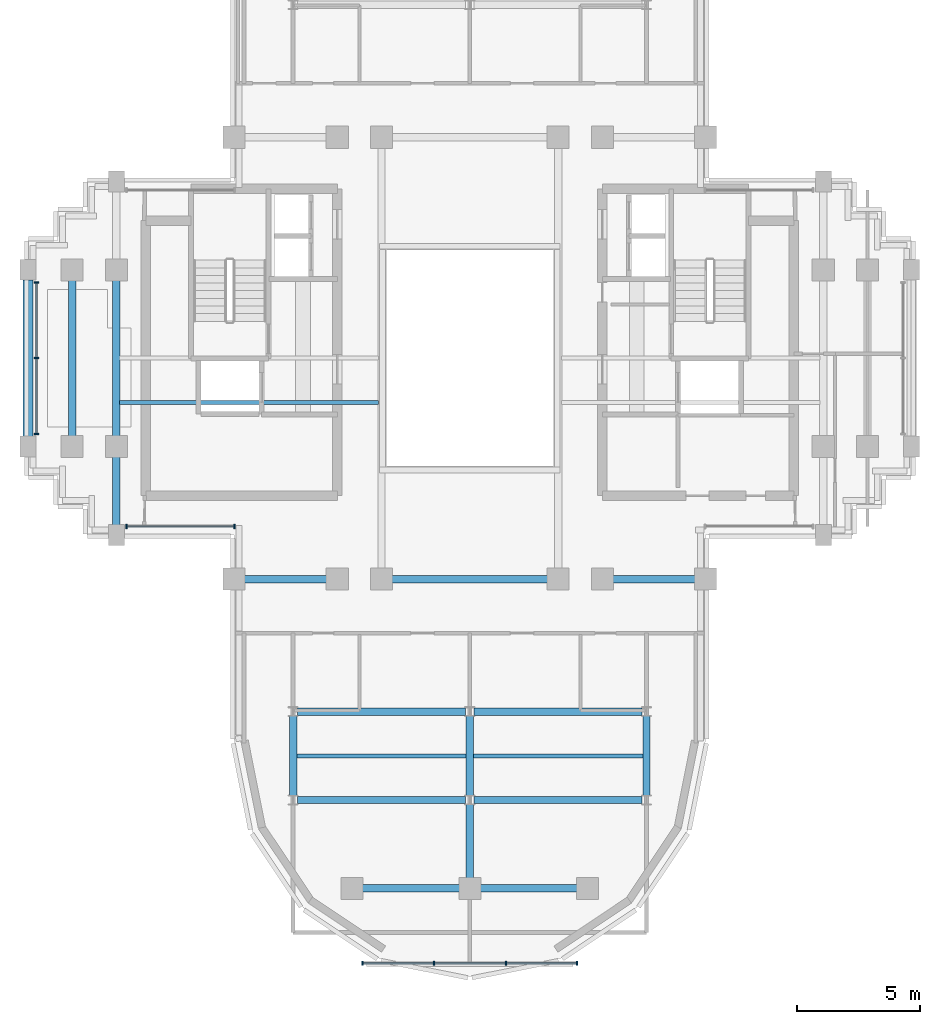
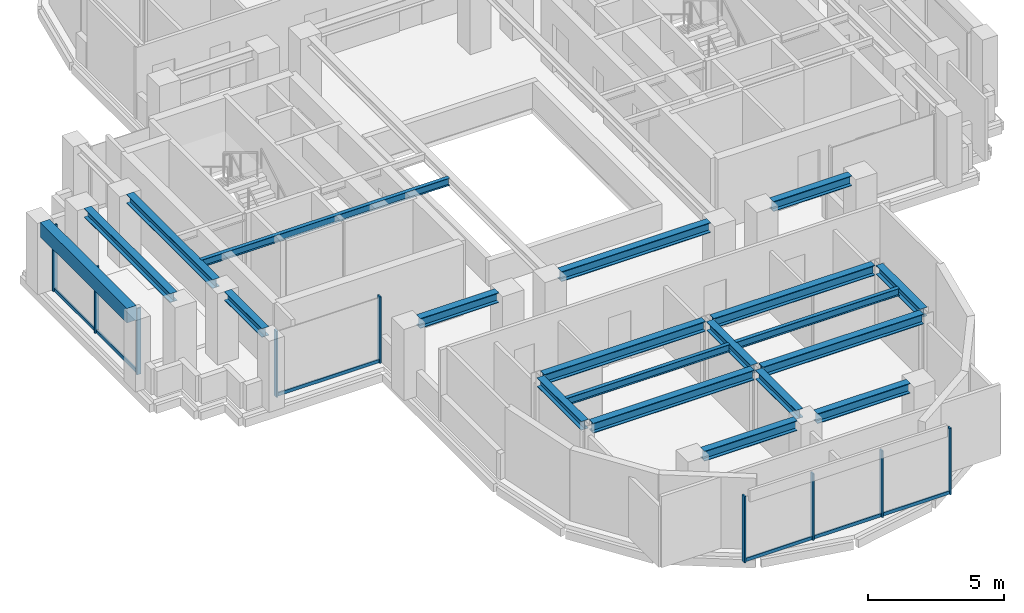
# One storey, part 2 of 11: 20 beams, 15 members, 3 elements without a shape of their own.
"""IFC4 building model written with IfcOpenShell, lengths in metres."""

from ifc_helpers import new_model, si_unit, direction, frame, origin, origin_2d, place, context, subcontext, project, spatial, rectangle, i_section, extrude, source, transform, mapped, material, material_profile, profile_set, type_object, element, aggregate, save


model = new_model("IFC4")

# Units and contexts
model_context = context("Model", 3, precision=1e-05, world=origin(), true_north=direction((0.0, 1.0)))
body_context = subcontext(model_context, "Body", "Model", "MODEL_VIEW")
ifc_project = project(units=[si_unit("LENGTHUNIT", "METRE"), si_unit("AREAUNIT", "SQUARE_METRE"), si_unit("VOLUMEUNIT", "CUBIC_METRE"), si_unit("PLANEANGLEUNIT", "RADIAN"), si_unit("MASSUNIT", "GRAM", prefix="KILO")], contexts=[model_context])

# Site, building, storey
site_placement = place(None, origin())
site = spatial("IfcSite", under=ifc_project, at=site_placement, CompositionType="ELEMENT")
building_placement = place(site_placement, origin())
building = spatial("IfcBuilding", under=site, at=building_placement, Name="Keilestroom Media Tower", CompositionType="ELEMENT")
storey_placement = place(building_placement, frame((0.0, 0.0, 194.39990234375)))
storey = spatial("IfcBuildingStorey", under=building, at=storey_placement, Name="L53", CompositionType="ELEMENT", Elevation=194.39990234375)

# Beams
ifc_material_1 = material(Name="Steel S355", Category="steel")
ifc_material_profile_1 = material_profile(ifc_material_1, i_section(OverallWidth=0.300048828125, OverallDepth=0.449951171875, WebThickness=0.011962890625, FlangeThickness=0.02587890625, at=origin_2d()), Name="HEB 450")
ifc_profile_set_1 = profile_set([ifc_material_profile_1], Name="Steel S355")
beam_type_1 = type_object("IfcBeamType", Name="Primary-Structural-Girder-HEB-450", PredefinedType="BEAM", material=ifc_profile_set_1)
shared_shape_1 = source(origin(), body_context, "Body", "SweptSolid", [
    extrude(i_section(OverallWidth=0.300048828125, OverallDepth=0.449951171875, WebThickness=0.011962890625, FlangeThickness=0.02587890625, at=origin_2d()), origin(), (0.0, 0.0, 1.0), 3.940185546875),
])
for number, where, z_axis, x_axis, name in (
    (1, (-4.3701171875, -21.60009765625, 2.97509765625), (1.0, 0.0, 0.0), (0.0, 1.0, 0.0), "L53 Beam BG-7 BM-L53-EW-001"),
    (2, (0.429931640625, -21.60009765625, 2.97509765625), (1.0, 0.0, 0.0), (0.0, 1.0, 0.0), "L53 Beam BG-7 BM-L53-EW-002"),
):
    element("IfcBeam", number, at=place(storey_placement, frame(where, z_axis=z_axis, x_axis=x_axis)), inside=storey, type_object=beam_type_1, Name=name, PredefinedType="BEAM", context=body_context, shape_type="MappedRepresentation", body=[
        mapped(shared_shape_1, transform((0.0, 0.0, 0.0), x_axis=(1.0, 0.0, 0.0), y_axis=(0.0, 1.0, 0.0), z_axis=(0.0, 0.0, 1.0), scale=1.0)),
    ])
shared_shape_2 = source(origin(), body_context, "Body", "SweptSolid", [
    extrude(i_section(OverallWidth=0.300048828125, OverallDepth=0.449951171875, WebThickness=0.011962890625, FlangeThickness=0.02587890625, at=origin_2d()), origin(), (0.0, 0.0, 1.0), 6.842041015625),
])
for number, where, z_axis, x_axis, name in (
    (3, (-7.02099609375, -18.0, 2.97509765625), (1.0, 0.0, 0.0), (0.0, 1.0, 0.0), "L53 Beam BG-7 BM-L53-EW-003"),
    (4, (0.178955078125, -18.0, 2.97509765625), (1.0, 0.0, 0.0), (0.0, 1.0, 0.0), "L53 Beam BG-7 BM-L53-EW-004"),
    (5, (-7.02099609375, -14.39990234375, 2.97509765625), (1.0, 0.0, 0.0), (0.0, 1.0, 0.0), "L53 Beam BG-7 BM-L53-EW-005"),
    (6, (0.178955078125, -14.39990234375, 2.97509765625), (1.0, 0.0, 0.0), (0.0, 1.0, 0.0), "L53 Beam BG-7 BM-L53-EW-006"),
):
    element("IfcBeam", number, at=place(storey_placement, frame(where, z_axis=z_axis, x_axis=x_axis)), inside=storey, type_object=beam_type_1, Name=name, PredefinedType="BEAM", context=body_context, shape_type="MappedRepresentation", body=[
        mapped(shared_shape_2, transform((0.0, 0.0, 0.0), x_axis=(1.0, 0.0, 0.0), y_axis=(0.0, 1.0, 0.0), z_axis=(0.0, 0.0, 1.0), scale=1.0)),
    ])
shared_shape_3 = source(origin(), body_context, "Body", "SweptSolid", [
    extrude(i_section(OverallWidth=0.300048828125, OverallDepth=0.449951171875, WebThickness=0.011962890625, FlangeThickness=0.02587890625, at=origin_2d()), origin(), (0.0, 0.0, 1.0), 3.33984375),
])
for number, where, z_axis, x_axis, name in (
    (7, (-9.169921875, -9.0, 2.97509765625), (1.0, 0.0, 0.0), (0.0, 1.0, 0.0), "L53 Beam BG-7 BM-L53-EW-007"),
    (8, (5.830078125, -9.0, 2.97509765625), (1.0, 0.0, 0.0), (0.0, 1.0, 0.0), "L53 Beam BG-7 BM-L53-EW-011"),
):
    element("IfcBeam", number, at=place(storey_placement, frame(where, z_axis=z_axis, x_axis=x_axis)), inside=storey, type_object=beam_type_1, Name=name, PredefinedType="BEAM", context=body_context, shape_type="MappedRepresentation", body=[
        mapped(shared_shape_3, transform((0.0, 0.0, 0.0), x_axis=(1.0, 0.0, 0.0), y_axis=(0.0, 1.0, 0.0), z_axis=(0.0, 0.0, 1.0), scale=1.0)),
    ])
shared_shape_4 = source(origin(), body_context, "Body", "SweptSolid", [
    extrude(i_section(OverallWidth=0.300048828125, OverallDepth=0.449951171875, WebThickness=0.011962890625, FlangeThickness=0.02587890625, at=origin_2d()), origin(), (0.0, 0.0, 1.0), 6.33984375),
])
beam_1_placement = place(storey_placement, frame((-3.169921875, -9.0, 2.97509765625), z_axis=(1.0, 0.0, 0.0), x_axis=(0.0, 1.0, 0.0)))
element("IfcBeam", 9, at=beam_1_placement, inside=storey, type_object=beam_type_1, Name="L53 Beam BG-7 BM-L53-EW-009", PredefinedType="BEAM", context=body_context, shape_type="MappedRepresentation", body=[
    mapped(shared_shape_4, transform((0.0, 0.0, 0.0), x_axis=(1.0, 0.0, 0.0), y_axis=(0.0, 1.0, 0.0), z_axis=(0.0, 0.0, 1.0), scale=1.0)),
])
ifc_material_2 = material(Name="Precast concrete C40/50", Category="concrete")
ifc_material_profile_2 = material_profile(ifc_material_2, rectangle(XDim=0.39990234375, YDim=0.64990234375, at=origin_2d()), Name="PC 400x650")
ifc_profile_set_2 = profile_set([ifc_material_profile_2], Name="Precast concrete C40/50")
beam_type_2 = type_object("IfcBeamType", Name="Perimeter-Spandrel-Beam-PC-400x650", PredefinedType="SPANDREL", material=ifc_profile_set_2)
shared_shape_5 = source(origin(), body_context, "Body", "SweptSolid", [
    extrude(rectangle(XDim=0.39990234375, YDim=0.64990234375, at=origin_2d()), origin(), (0.0, 0.0, 1.0), 6.39013671875),
])
beam_2_placement = place(storey_placement, frame((-18.0, -3.195068359375, 2.875), z_axis=(0.0, 1.0, 0.0), x_axis=(-1.0, 0.0, 0.0)))
element("IfcBeam", 10, at=beam_2_placement, inside=storey, type_object=beam_type_2, Name="L53 Beam SPB-2 BM-L53-NS-031", PredefinedType="SPANDREL", context=body_context, shape_type="MappedRepresentation", body=[
    mapped(shared_shape_5, transform((0.0, 0.0, 0.0), x_axis=(1.0, 0.0, 0.0), y_axis=(0.0, 1.0, 0.0), z_axis=(0.0, 0.0, 1.0), scale=1.0)),
])
ifc_material_profile_3 = material_profile(ifc_material_1, i_section(OverallWidth=0.300048828125, OverallDepth=0.39990234375, WebThickness=0.011474609375, FlangeThickness=0.02392578125, at=origin_2d()), Name="HEB 400")
ifc_profile_set_3 = profile_set([ifc_material_profile_3], Name="Steel S355")
beam_type_3 = type_object("IfcBeamType", Name="Primary-Structural-Girder-HEB-400", PredefinedType="BEAM", material=ifc_profile_set_3)
shared_shape_6 = source(origin(), body_context, "Body", "SweptSolid", [
    extrude(i_section(OverallWidth=0.300048828125, OverallDepth=0.39990234375, WebThickness=0.011474609375, FlangeThickness=0.02392578125, at=origin_2d()), origin(), (0.0, 0.0, 1.0), 6.33984375),
])
for number, where, z_axis, x_axis, name in (
    (11, (-16.199951171875, -3.169921875, 3.0), (0.0, 1.0, 0.0), (-1.0, 0.0, 0.0), "L53 Beam BG-8 BM-L53-NS-032"),
    (12, (-14.39990234375, -3.169921875, 3.0), (0.0, 1.0, 0.0), (-1.0, 0.0, 0.0), "L53 Beam BG-8 BM-L53-NS-034"),
):
    element("IfcBeam", number, at=place(storey_placement, frame(where, z_axis=z_axis, x_axis=x_axis)), inside=storey, type_object=beam_type_3, Name=name, PredefinedType="BEAM", context=body_context, shape_type="MappedRepresentation", body=[
        mapped(shared_shape_6, transform((0.0, 0.0, 0.0), x_axis=(1.0, 0.0, 0.0), y_axis=(0.0, 1.0, 0.0), z_axis=(0.0, 0.0, 1.0), scale=1.0)),
    ])
shared_shape_7 = source(origin(), body_context, "Body", "SweptSolid", [
    extrude(i_section(OverallWidth=0.300048828125, OverallDepth=0.39990234375, WebThickness=0.011474609375, FlangeThickness=0.02392578125, at=origin_2d()), origin(), (0.0, 0.0, 1.0), 2.764892578125),
])
beam_3_placement = place(storey_placement, frame((-14.39990234375, -6.794921875, 3.0), z_axis=(0.0, 1.0, 0.0), x_axis=(-1.0, 0.0, 0.0)))
element("IfcBeam", 13, at=beam_3_placement, inside=storey, type_object=beam_type_3, Name="L53 Beam BG-8 BM-L53-NS-033", PredefinedType="BEAM", context=body_context, shape_type="MappedRepresentation", body=[
    mapped(shared_shape_7, transform((0.0, 0.0, 0.0), x_axis=(1.0, 0.0, 0.0), y_axis=(0.0, 1.0, 0.0), z_axis=(0.0, 0.0, 1.0), scale=1.0)),
])
shared_shape_8 = source(origin(), body_context, "Body", "SweptSolid", [
    extrude(i_section(OverallWidth=0.300048828125, OverallDepth=0.39990234375, WebThickness=0.011474609375, FlangeThickness=0.02392578125, at=origin_2d()), origin(), (0.0, 0.0, 1.0), 3.2529296875),
])
for number, where, z_axis, x_axis, name in (
    (14, (-7.199951171875, -17.826416015625, 3.0), (0.0, 1.0, 0.0), (-1.0, 0.0, 0.0), "L53 Beam BG-8 BM-L53-NS-037"),
    (15, (0.0, -17.826416015625, 3.0), (0.0, 1.0, 0.0), (-1.0, 0.0, 0.0), "L53 Beam BG-8 BM-L53-NS-042"),
    (16, (7.199951171875, -17.826416015625, 3.0), (0.0, 1.0, 0.0), (-1.0, 0.0, 0.0), "L53 Beam BG-8 BM-L53-NS-047"),
):
    element("IfcBeam", number, at=place(storey_placement, frame(where, z_axis=z_axis, x_axis=x_axis)), inside=storey, type_object=beam_type_3, Name=name, PredefinedType="BEAM", context=body_context, shape_type="MappedRepresentation", body=[
        mapped(shared_shape_8, transform((0.0, 0.0, 0.0), x_axis=(1.0, 0.0, 0.0), y_axis=(0.0, 1.0, 0.0), z_axis=(0.0, 0.0, 1.0), scale=1.0)),
    ])
shared_shape_9 = source(origin(), body_context, "Body", "SweptSolid", [
    extrude(i_section(OverallWidth=0.300048828125, OverallDepth=0.39990234375, WebThickness=0.011474609375, FlangeThickness=0.02392578125, at=origin_2d()), origin(), (0.0, 0.0, 1.0), 2.996337890625),
])
beam_4_placement = place(storey_placement, frame((0.0, -21.169921875, 3.0), z_axis=(0.0, 1.0, 0.0), x_axis=(-1.0, 0.0, 0.0)))
element("IfcBeam", 17, at=beam_4_placement, inside=storey, type_object=beam_type_3, Name="L53 Beam BG-8 BM-L53-NS-041", PredefinedType="BEAM", context=body_context, shape_type="MappedRepresentation", body=[
    mapped(shared_shape_9, transform((0.0, 0.0, 0.0), x_axis=(1.0, 0.0, 0.0), y_axis=(0.0, 1.0, 0.0), z_axis=(0.0, 0.0, 1.0), scale=1.0)),
])
ifc_material_profile_4 = material_profile(ifc_material_1, i_section(OverallWidth=0.159912109375, OverallDepth=0.330078125, WebThickness=0.007568359375, FlangeThickness=0.011474609375, at=origin_2d()), Name="IPE 330")
ifc_profile_set_4 = profile_set([ifc_material_profile_4], Name="Steel S355")
beam_type_4 = type_object("IfcBeamType", Name="Secondary-Floor-Joist-IPE-330", PredefinedType="JOIST", material=ifc_profile_set_4)
shared_shape_10 = source(origin(), body_context, "Body", "SweptSolid", [
    extrude(i_section(OverallWidth=0.159912109375, OverallDepth=0.330078125, WebThickness=0.007568359375, FlangeThickness=0.011474609375, at=origin_2d()), origin(), (0.0, 0.0, 1.0), 6.940185546875),
])
for number, where, z_axis, x_axis, name in (
    (18, (-7.070068359375, -16.199951171875, 3.03515625), (1.0, 0.0, 0.0), (0.0, 1.0, 0.0), "L53 Beam BJ-6 JST-L53-055"),
    (19, (0.1298828125, -16.199951171875, 3.03515625), (1.0, 0.0, 0.0), (0.0, 1.0, 0.0), "L53 Beam BJ-6 JST-L53-056"),
):
    element("IfcBeam", number, at=place(storey_placement, frame(where, z_axis=z_axis, x_axis=x_axis)), inside=storey, type_object=beam_type_4, Name=name, PredefinedType="JOIST", context=body_context, shape_type="MappedRepresentation", body=[
        mapped(shared_shape_10, transform((0.0, 0.0, 0.0), x_axis=(1.0, 0.0, 0.0), y_axis=(0.0, 1.0, 0.0), z_axis=(0.0, 0.0, 1.0), scale=1.0)),
    ])
shared_shape_11 = source(origin(), body_context, "Body", "SweptSolid", [
    extrude(i_section(OverallWidth=0.159912109375, OverallDepth=0.330078125, WebThickness=0.007568359375, FlangeThickness=0.011474609375, at=origin_2d()), origin(), (0.0, 0.0, 1.0), 10.5400390625),
])
beam_5_placement = place(storey_placement, frame((-14.27001953125, -1.800048828125, 3.03515625), z_axis=(1.0, 0.0, 0.0), x_axis=(0.0, 1.0, 0.0)))
element("IfcBeam", 20, at=beam_5_placement, inside=storey, type_object=beam_type_4, Name="L53 Beam BJ-6 JST-L53-057", PredefinedType="JOIST", context=body_context, shape_type="MappedRepresentation", body=[
    mapped(shared_shape_11, transform((0.0, 0.0, 0.0), x_axis=(1.0, 0.0, 0.0), y_axis=(0.0, 1.0, 0.0), z_axis=(0.0, 0.0, 1.0), scale=1.0)),
])

# Curtain wall, members
ifc_material_3 = material(Name="Anodised Aluminium Alloy", Category="aluminium")
curtain_wall_type_1 = type_object("IfcCurtainWallType", Name="Unitised-Curtain-Wall-CW-6", PredefinedType="NOTDEFINED", material=ifc_material_3)
curtain_wall_1_placement = place(storey_placement, origin())
curtain_wall_1 = element("IfcCurtainWall", 21, at=curtain_wall_1_placement, inside=storey, type_object=curtain_wall_type_1, Name="L53 Curtain Wall CW-6 CW-L53-LS-1", PredefinedType="NOTDEFINED")
ifc_material_profile_5 = material_profile(ifc_material_3, rectangle(XDim=0.06494140625, YDim=0.179931640625, at=origin_2d()), Name="ALU MULLION 65x180")
ifc_profile_set_5 = profile_set([ifc_material_profile_5], Name="Anodised Aluminium Alloy")
member_type_1 = type_object("IfcMemberType", Name="Curtain-Wall-Mullion-CW-6", PredefinedType="MULLION", material=ifc_profile_set_5)
shared_shape_12 = source(origin(), body_context, "Body", "SweptSolid", [
    extrude(rectangle(XDim=0.06494140625, YDim=0.179931640625, at=origin_2d()), origin(), (0.0, 0.0, 1.0), 2.97998046875),
])
member_1_placement = place(storey_placement, frame((-4.367431640625, -24.64990234375, 0.0), z_axis=(0.0, 0.0, 1.0), x_axis=(1.0, 0.0, 0.0)))
member_1 = element("IfcMember", 22, at=member_1_placement, type_object=member_type_1, Name="CW-6 Mullion 00", PredefinedType="MULLION", context=body_context, shape_type="MappedRepresentation", body=[
    mapped(shared_shape_12, transform((0.0, 0.0, 0.0), x_axis=(1.0, 0.0, 0.0), y_axis=(0.0, 1.0, 0.0), z_axis=(0.0, 0.0, 1.0), scale=1.0)),
])
member_2_placement = place(storey_placement, frame((-1.466796875, -24.64990234375, 0.0), z_axis=(0.0, 0.0, 1.0), x_axis=(1.0, 0.0, 0.0)))
member_2 = element("IfcMember", 23, at=member_2_placement, type_object=member_type_1, Name="CW-6 Mullion 01", PredefinedType="MULLION", context=body_context, shape_type="MappedRepresentation", body=[
    mapped(shared_shape_12, transform((0.0, 0.0, 0.0), x_axis=(1.0, 0.0, 0.0), y_axis=(0.0, 1.0, 0.0), z_axis=(0.0, 0.0, 1.0), scale=1.0)),
])
member_3_placement = place(storey_placement, frame((1.466796875, -24.64990234375, 0.0), z_axis=(0.0, 0.0, 1.0), x_axis=(1.0, 0.0, 0.0)))
member_3 = element("IfcMember", 24, at=member_3_placement, type_object=member_type_1, Name="CW-6 Mullion 02", PredefinedType="MULLION", context=body_context, shape_type="MappedRepresentation", body=[
    mapped(shared_shape_12, transform((0.0, 0.0, 0.0), x_axis=(1.0, 0.0, 0.0), y_axis=(0.0, 1.0, 0.0), z_axis=(0.0, 0.0, 1.0), scale=1.0)),
])
member_4_placement = place(storey_placement, frame((4.367431640625, -24.64990234375, 0.0), z_axis=(0.0, 0.0, 1.0), x_axis=(1.0, 0.0, 0.0)))
member_4 = element("IfcMember", 25, at=member_4_placement, type_object=member_type_1, Name="CW-6 Mullion 03", PredefinedType="MULLION", context=body_context, shape_type="MappedRepresentation", body=[
    mapped(shared_shape_12, transform((0.0, 0.0, 0.0), x_axis=(1.0, 0.0, 0.0), y_axis=(0.0, 1.0, 0.0), z_axis=(0.0, 0.0, 1.0), scale=1.0)),
])
ifc_material_profile_6 = material_profile(ifc_material_3, rectangle(XDim=0.06494140625, YDim=0.14990234375, at=origin_2d()), Name="ALU TRANSOM 65x150")
ifc_profile_set_6 = profile_set([ifc_material_profile_6], Name="Anodised Aluminium Alloy")
member_type_2 = type_object("IfcMemberType", Name="Curtain-Wall-Transom-CW-6", PredefinedType="USERDEFINED", material=ifc_profile_set_6)
shared_shape_13 = source(origin(), body_context, "Body", "SweptSolid", [
    extrude(rectangle(XDim=0.06494140625, YDim=0.14990234375, at=origin_2d()), origin(), (0.0, 0.0, 1.0), 2.839599609375),
])
member_5_placement = place(storey_placement, frame((-4.3369140625, -24.64990234375, 0.0751953125), z_axis=(1.0, 0.0, 0.0), x_axis=(0.0, 1.0, 0.0)))
member_5 = element("IfcMember", 26, at=member_5_placement, type_object=member_type_2, Name="CW-6 Transom 00.1", ObjectType="TRANSOM", PredefinedType="USERDEFINED", context=body_context, shape_type="MappedRepresentation", body=[
    mapped(shared_shape_13, transform((0.0, 0.0, 0.0), x_axis=(1.0, 0.0, 0.0), y_axis=(0.0, 1.0, 0.0), z_axis=(0.0, 0.0, 1.0), scale=1.0)),
])
member_6_placement = place(storey_placement, frame((1.497314453125, -24.64990234375, 0.0751953125), z_axis=(1.0, 0.0, 0.0), x_axis=(0.0, 1.0, 0.0)))
member_6 = element("IfcMember", 27, at=member_6_placement, type_object=member_type_2, Name="CW-6 Transom 02.1", ObjectType="TRANSOM", PredefinedType="USERDEFINED", context=body_context, shape_type="MappedRepresentation", body=[
    mapped(shared_shape_13, transform((0.0, 0.0, 0.0), x_axis=(1.0, 0.0, 0.0), y_axis=(0.0, 1.0, 0.0), z_axis=(0.0, 0.0, 1.0), scale=1.0)),
])
shared_shape_14 = source(origin(), body_context, "Body", "SweptSolid", [
    extrude(rectangle(XDim=0.06494140625, YDim=0.14990234375, at=origin_2d()), origin(), (0.0, 0.0, 1.0), 2.87255859375),
])
member_7_placement = place(storey_placement, frame((-1.436279296875, -24.64990234375, 0.0751953125), z_axis=(1.0, 0.0, 0.0), x_axis=(0.0, 1.0, 0.0)))
member_7 = element("IfcMember", 28, at=member_7_placement, type_object=member_type_2, Name="CW-6 Transom 01.1", ObjectType="TRANSOM", PredefinedType="USERDEFINED", context=body_context, shape_type="MappedRepresentation", body=[
    mapped(shared_shape_14, transform((0.0, 0.0, 0.0), x_axis=(1.0, 0.0, 0.0), y_axis=(0.0, 1.0, 0.0), z_axis=(0.0, 0.0, 1.0), scale=1.0)),
])
aggregate(curtain_wall_1, [member_1, member_2, member_3, member_4, member_5, member_7, member_6])

curtain_wall_type_2 = type_object("IfcCurtainWallType", Name="Unitised-Curtain-Wall-CW-3", PredefinedType="NOTDEFINED", material=ifc_material_3)
curtain_wall_2_placement = place(storey_placement, origin())
curtain_wall_2 = element("IfcCurtainWall", 29, at=curtain_wall_2_placement, inside=storey, type_object=curtain_wall_type_2, Name="L53 Curtain Wall CW-3 CW-L53-W-1", PredefinedType="NOTDEFINED")
ifc_material_profile_7 = material_profile(ifc_material_3, rectangle(XDim=0.06494140625, YDim=0.179931640625, at=origin_2d()), Name="ALU MULLION 65x180")
ifc_profile_set_7 = profile_set([ifc_material_profile_7], Name="Anodised Aluminium Alloy")
member_type_3 = type_object("IfcMemberType", Name="Curtain-Wall-Mullion-CW-3", PredefinedType="MULLION", material=ifc_profile_set_7)
shared_shape_15 = source(origin(), body_context, "Body", "SweptSolid", [
    extrude(rectangle(XDim=0.06494140625, YDim=0.179931640625, at=origin_2d()), origin(), (0.0, 0.0, 1.0), 2.97998046875),
])
member_8_placement = place(storey_placement, frame((-17.64990234375, -3.08251953125, 0.0), z_axis=(0.0, 0.0, 1.0), x_axis=(0.0, 1.0, 0.0)))
member_8 = element("IfcMember", 30, at=member_8_placement, type_object=member_type_3, Name="CW-3 Mullion 00", PredefinedType="MULLION", context=body_context, shape_type="MappedRepresentation", body=[
    mapped(shared_shape_15, transform((0.0, 0.0, 0.0), x_axis=(1.0, 0.0, 0.0), y_axis=(0.0, 1.0, 0.0), z_axis=(0.0, 0.0, 1.0), scale=1.0)),
])
member_9_placement = place(storey_placement, frame((-17.64990234375, 0.0, 0.0), z_axis=(0.0, 0.0, 1.0), x_axis=(0.0, 1.0, 0.0)))
member_9 = element("IfcMember", 31, at=member_9_placement, type_object=member_type_3, Name="CW-3 Mullion 01", PredefinedType="MULLION", context=body_context, shape_type="MappedRepresentation", body=[
    mapped(shared_shape_15, transform((0.0, 0.0, 0.0), x_axis=(1.0, 0.0, 0.0), y_axis=(0.0, 1.0, 0.0), z_axis=(0.0, 0.0, 1.0), scale=1.0)),
])
member_10_placement = place(storey_placement, frame((-17.64990234375, 3.08251953125, 0.0), z_axis=(0.0, 0.0, 1.0), x_axis=(0.0, 1.0, 0.0)))
member_10 = element("IfcMember", 32, at=member_10_placement, type_object=member_type_3, Name="CW-3 Mullion 02", PredefinedType="MULLION", context=body_context, shape_type="MappedRepresentation", body=[
    mapped(shared_shape_15, transform((0.0, 0.0, 0.0), x_axis=(1.0, 0.0, 0.0), y_axis=(0.0, 1.0, 0.0), z_axis=(0.0, 0.0, 1.0), scale=1.0)),
])

curtain_wall_3_placement = place(storey_placement, origin())
curtain_wall_3 = element("IfcCurtainWall", 33, at=curtain_wall_3_placement, inside=storey, type_object=curtain_wall_type_2, Name="L53 Curtain Wall CW-3 CW-L53-SW-1", PredefinedType="NOTDEFINED")
member_11_placement = place(storey_placement, frame((-13.982421875, -6.85009765625, 0.0), z_axis=(0.0, 0.0, 1.0), x_axis=(1.0, 0.0, 0.0)))
member_11 = element("IfcMember", 34, at=member_11_placement, type_object=member_type_3, Name="CW-3 Mullion 00", PredefinedType="MULLION", context=body_context, shape_type="MappedRepresentation", body=[
    mapped(shared_shape_15, transform((0.0, 0.0, 0.0), x_axis=(1.0, 0.0, 0.0), y_axis=(0.0, 1.0, 0.0), z_axis=(0.0, 0.0, 1.0), scale=1.0)),
])
member_12_placement = place(storey_placement, frame((-9.58251953125, -6.85009765625, 0.0), z_axis=(0.0, 0.0, 1.0), x_axis=(1.0, 0.0, 0.0)))
member_12 = element("IfcMember", 35, at=member_12_placement, type_object=member_type_3, Name="CW-3 Mullion 01", PredefinedType="MULLION", context=body_context, shape_type="MappedRepresentation", body=[
    mapped(shared_shape_15, transform((0.0, 0.0, 0.0), x_axis=(1.0, 0.0, 0.0), y_axis=(0.0, 1.0, 0.0), z_axis=(0.0, 0.0, 1.0), scale=1.0)),
])
ifc_material_profile_8 = material_profile(ifc_material_3, rectangle(XDim=0.06494140625, YDim=0.14990234375, at=origin_2d()), Name="ALU TRANSOM 65x150")
ifc_profile_set_8 = profile_set([ifc_material_profile_8], Name="Anodised Aluminium Alloy")
member_type_4 = type_object("IfcMemberType", Name="Curtain-Wall-Transom-CW-3", PredefinedType="USERDEFINED", material=ifc_profile_set_8)
shared_shape_16 = source(origin(), body_context, "Body", "SweptSolid", [
    extrude(rectangle(XDim=0.06494140625, YDim=0.14990234375, at=origin_2d()), origin(), (0.0, 0.0, 1.0), 4.3388671875),
])
member_13_placement = place(storey_placement, frame((-13.951904296875, -6.85009765625, 0.0751953125), z_axis=(1.0, 0.0, 0.0), x_axis=(0.0, 1.0, 0.0)))
member_13 = element("IfcMember", 36, at=member_13_placement, type_object=member_type_4, Name="CW-3 Transom 00.1", ObjectType="TRANSOM", PredefinedType="USERDEFINED", context=body_context, shape_type="MappedRepresentation", body=[
    mapped(shared_shape_16, transform((0.0, 0.0, 0.0), x_axis=(1.0, 0.0, 0.0), y_axis=(0.0, 1.0, 0.0), z_axis=(0.0, 0.0, 1.0), scale=1.0)),
])
aggregate(curtain_wall_3, [member_11, member_12, member_13])

# Member
shared_shape_17 = source(origin(), body_context, "Body", "SweptSolid", [
    extrude(rectangle(XDim=0.06494140625, YDim=0.14990234375, at=origin_2d()), origin(), (0.0, 0.0, 1.0), 3.021484375),
])
member_14_placement = place(storey_placement, frame((-17.64990234375, -3.052001953125, 0.0751953125), z_axis=(0.0, 1.0, 0.0), x_axis=(-1.0, 0.0, 0.0)))
member_14 = element("IfcMember", 37, at=member_14_placement, type_object=member_type_4, Name="CW-3 Transom 00.1", ObjectType="TRANSOM", PredefinedType="USERDEFINED", context=body_context, shape_type="MappedRepresentation", body=[
    mapped(shared_shape_17, transform((0.0, 0.0, 0.0), x_axis=(1.0, 0.0, 0.0), y_axis=(0.0, 1.0, 0.0), z_axis=(0.0, 0.0, 1.0), scale=1.0)),
])

member_15_placement = place(storey_placement, frame((-17.64990234375, 0.030517578125, 0.0751953125), z_axis=(0.0, 1.0, 0.0), x_axis=(-1.0, 0.0, 0.0)))
member_15 = element("IfcMember", 38, at=member_15_placement, type_object=member_type_4, Name="CW-3 Transom 01.1", ObjectType="TRANSOM", PredefinedType="USERDEFINED", context=body_context, shape_type="MappedRepresentation", body=[
    mapped(shared_shape_17, transform((0.0, 0.0, 0.0), x_axis=(1.0, 0.0, 0.0), y_axis=(0.0, 1.0, 0.0), z_axis=(0.0, 0.0, 1.0), scale=1.0)),
])

aggregate(curtain_wall_2, [member_8, member_9, member_10, member_14, member_15])

save(model, "model.ifc")
